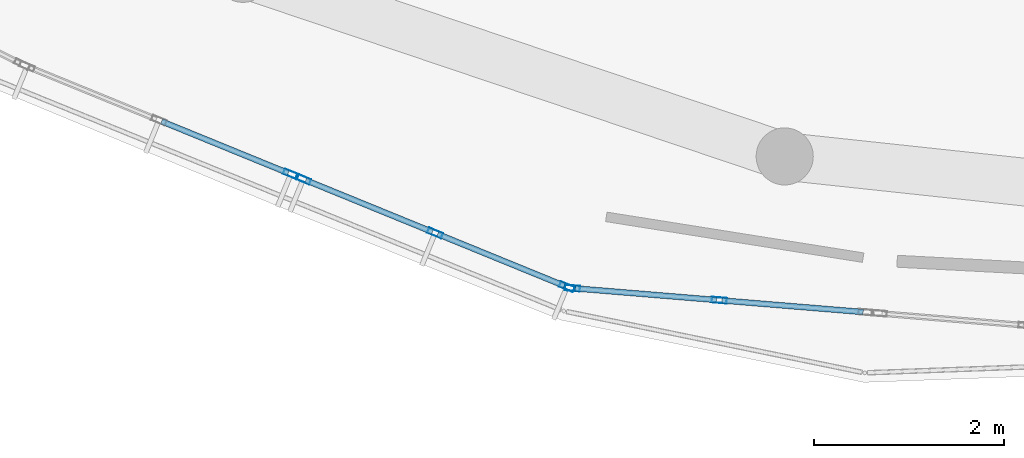
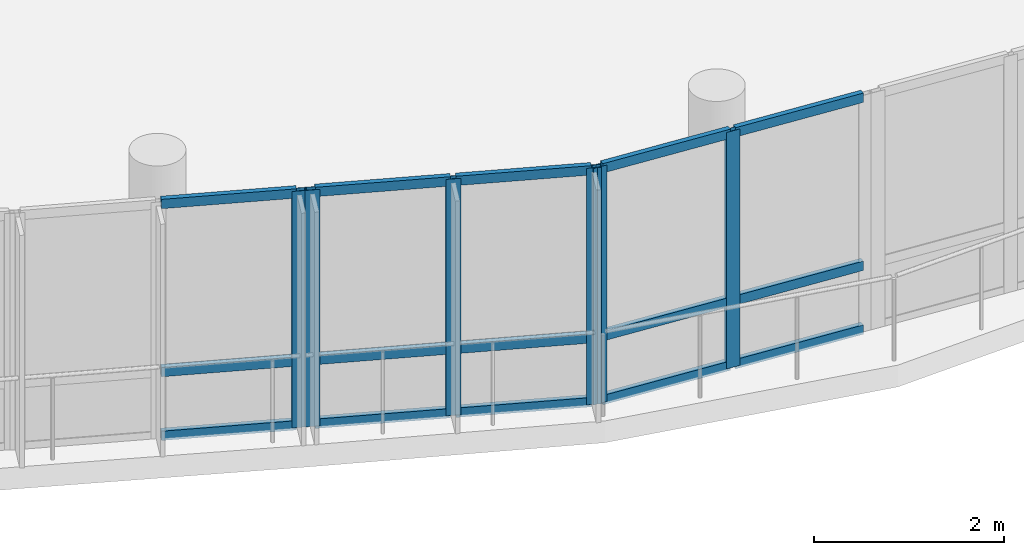
# One storey, part 3 of 43: 21 members, 3 elements without a shape of their own.
"""IFC4 building model written with IfcOpenShell, lengths in metres."""

from ifc_helpers import new_model, si_unit, derived_unit, direction, frame, origin, origin_2d, place, context, subcontext, project, spatial, hollow_rectangle, extrude, material, layer, layer_set, material_profile, profile_set, type_object, element, aggregate, save


model = new_model("IFC4")

# Units and contexts
model_context = context("Model", 3, precision=1e-05, world=origin(), true_north=direction((0.0, 1.0)))
body_context = subcontext(model_context, "Body", "Model", "MODEL_VIEW")
ifc_project = project(units=[si_unit("LENGTHUNIT", "METRE"), si_unit("AREAUNIT", "SQUARE_METRE"), si_unit("VOLUMEUNIT", "CUBIC_METRE"), si_unit("PLANEANGLEUNIT", "RADIAN"), si_unit("MASSUNIT", "GRAM", prefix="KILO"), derived_unit("THERMALTRANSMITTANCEUNIT", [(si_unit("POWERUNIT", "WATT"), 1), (si_unit("LENGTHUNIT", "METRE"), -2), (si_unit("THERMODYNAMICTEMPERATUREUNIT", "KELVIN"), -1)])], contexts=[model_context])

# Site, building, storey
site_placement = place(None, origin())
site = spatial("IfcSite", under=ifc_project, at=site_placement, CompositionType="ELEMENT")
building_placement = place(site_placement, origin())
building = spatial("IfcBuilding", under=site, at=building_placement, Name="Elbkamm Science Centre", CompositionType="ELEMENT")
storey_placement = place(building_placement, frame((0.0, 0.0, 18.300048828125)))
storey = spatial("IfcBuildingStorey", under=building, at=storey_placement, Name="L04", CompositionType="ELEMENT", Elevation=18.300048828125)

# Curtain wall, member
ifc_material_1 = material(Name="Powder-coated aluminium and triple low-E glazing", Category="aluminium")
ifc_layer_1 = layer(ifc_material_1, 0.159912109375)
ifc_layer_set_1 = layer_set([ifc_layer_1], Name="Powder-coated aluminium and triple low-E glazing")
curtain_wall_type_1 = type_object("IfcCurtainWallType", Name="CW-UNIT-3060x3040", PredefinedType="USERDEFINED", material=ifc_layer_set_1)
curtain_wall_1_placement = place(storey_placement, origin())
curtain_wall_1 = element("IfcCurtainWall", 1, at=curtain_wall_1_placement, inside=storey, type_object=curtain_wall_type_1, Name="L04 Unitised Curtain Wall 094", ObjectType="UNITISED CURTAIN WALL", PredefinedType="USERDEFINED")
ifc_material_2 = material(Name="Powder-coated aluminium EN AW-6060", Category="aluminium")
ifc_material_profile_1 = material_profile(ifc_material_2, hollow_rectangle(XDim=0.06005859375, YDim=0.159912109375, WallThickness=0.00390625, at=origin_2d()), Name="ALU M60x160")
ifc_profile_set_1 = profile_set([ifc_material_profile_1], Name="Powder-coated aluminium EN AW-6060")
member_type_1 = type_object("IfcMemberType", Name="CW-MUL-60x160", PredefinedType="MULLION", material=ifc_profile_set_1)
member_1_placement = place(storey_placement, frame((51.704833984375, 48.46826171875, 0.0), z_axis=(0.0, 0.0, 1.0), x_axis=(0.378001302905, 0.925805063176, 0.0)))
member_1 = element("IfcMember", 2, at=member_1_placement, type_object=member_type_1, Name="CW-046 mullion 3", PredefinedType="MULLION", context=body_context, shape_type="SweptSolid", body=[
    extrude(hollow_rectangle(XDim=0.06005859375, YDim=0.159912109375, WallThickness=0.00390625, at=origin_2d()), origin(), (0.0, 0.0, 1.0), 3.0400390625),
])

# Curtain wall, members
curtain_wall_2_placement = place(storey_placement, origin())
curtain_wall_2 = element("IfcCurtainWall", 3, at=curtain_wall_2_placement, inside=storey, type_object=curtain_wall_type_1, Name="L04 Unitised Curtain Wall 095", ObjectType="UNITISED CURTAIN WALL", PredefinedType="USERDEFINED")
member_2_placement = place(storey_placement, frame((51.83447265625, 48.4150390625, 0.0), z_axis=(0.0, 0.0, 1.0), x_axis=(0.378001302905, 0.925805063176, 0.0)))
member_2 = element("IfcMember", 4, at=member_2_placement, type_object=member_type_1, Name="CW-046 mullion 1", PredefinedType="MULLION", context=body_context, shape_type="SweptSolid", body=[
    extrude(hollow_rectangle(XDim=0.06005859375, YDim=0.159912109375, WallThickness=0.00390625, at=origin_2d()), origin(), (0.0, 0.0, 1.0), 3.0400390625),
])
member_3_placement = place(storey_placement, frame((53.219482421875, 47.849609375, 0.0), z_axis=(0.0, 0.0, 1.0), x_axis=(0.378001302905, 0.925805063176, 0.0)))
member_3 = element("IfcMember", 5, at=member_3_placement, type_object=member_type_1, Name="CW-046 mullion 2", PredefinedType="MULLION", context=body_context, shape_type="SweptSolid", body=[
    extrude(hollow_rectangle(XDim=0.06005859375, YDim=0.159912109375, WallThickness=0.00390625, at=origin_2d()), origin(), (0.0, 0.0, 1.0), 3.0400390625),
])
member_4_placement = place(storey_placement, frame((54.604736328125, 47.283935546875, 0.0), z_axis=(0.0, 0.0, 1.0), x_axis=(0.378001302905, 0.925805063176, 0.0)))
member_4 = element("IfcMember", 6, at=member_4_placement, type_object=member_type_1, Name="CW-046 mullion 3", PredefinedType="MULLION", context=body_context, shape_type="SweptSolid", body=[
    extrude(hollow_rectangle(XDim=0.06005859375, YDim=0.159912109375, WallThickness=0.00390625, at=origin_2d()), origin(), (0.0, 0.0, 1.0), 3.0400390625),
])

ifc_layer_2 = layer(ifc_material_1, 0.159912109375)
ifc_layer_set_2 = layer_set([ifc_layer_2], Name="Powder-coated aluminium and triple low-E glazing")
curtain_wall_type_2 = type_object("IfcCurtainWallType", Name="CW-UNIT-3160x3040", PredefinedType="USERDEFINED", material=ifc_layer_set_2)
curtain_wall_3_placement = place(storey_placement, origin())
curtain_wall_3 = element("IfcCurtainWall", 7, at=curtain_wall_3_placement, inside=storey, type_object=curtain_wall_type_2, Name="L04 Unitised Curtain Wall 096", ObjectType="UNITISED CURTAIN WALL", PredefinedType="USERDEFINED")
member_5_placement = place(storey_placement, frame((54.662353515625, 47.270263671875, 0.0), z_axis=(0.0, 0.0, 1.0), x_axis=(0.081820228887, 0.996647104117, 0.0)))
member_5 = element("IfcMember", 8, at=member_5_placement, type_object=member_type_1, Name="CW-047 mullion 1", PredefinedType="MULLION", context=body_context, shape_type="SweptSolid", body=[
    extrude(hollow_rectangle(XDim=0.06005859375, YDim=0.159912109375, WallThickness=0.00390625, at=origin_2d()), origin(), (0.0, 0.0, 1.0), 3.0400390625),
])
member_6_placement = place(storey_placement, frame((56.204345703125, 47.1435546875, 0.0), z_axis=(0.0, 0.0, 1.0), x_axis=(0.081820228887, 0.996647104117, 0.0)))
member_6 = element("IfcMember", 9, at=member_6_placement, type_object=member_type_1, Name="CW-047 mullion 2", PredefinedType="MULLION", context=body_context, shape_type="SweptSolid", body=[
    extrude(hollow_rectangle(XDim=0.06005859375, YDim=0.159912109375, WallThickness=0.00390625, at=origin_2d()), origin(), (0.0, 0.0, 1.0), 3.0400390625),
])

# Member
ifc_material_profile_2 = material_profile(ifc_material_2, hollow_rectangle(XDim=0.06005859375, YDim=0.1201171875, WallThickness=0.00341796875, at=origin_2d()), Name="ALU T60x120")
ifc_profile_set_2 = profile_set([ifc_material_profile_2], Name="Powder-coated aluminium EN AW-6060")
member_type_2 = type_object("IfcMemberType", Name="CW-TRN-60x120", PredefinedType="USERDEFINED", material=ifc_profile_set_2)
member_7_placement = place(storey_placement, frame((50.347412109375, 49.0224609375, 0.030029296875), z_axis=(0.925779655957, -0.378063524577, 0.0), x_axis=(0.378063524577, 0.925779655957, 0.0)))
member_7 = element("IfcMember", 10, at=member_7_placement, type_object=member_type_2, Name="CW-046 transom 2.1", ObjectType="TRANSOM", PredefinedType="USERDEFINED", context=body_context, shape_type="SweptSolid", body=[
    extrude(hollow_rectangle(XDim=0.06005859375, YDim=0.1201171875, WallThickness=0.00341796875, at=origin_2d()), origin(), (0.0, 0.0, 1.0), 1.436279296875),
])

member_8_placement = place(storey_placement, frame((50.347412109375, 49.0224609375, 0.849853515625), z_axis=(0.925779655957, -0.378063524577, 0.0), x_axis=(0.378063524577, 0.925779655957, 0.0)))
member_8 = element("IfcMember", 11, at=member_8_placement, type_object=member_type_2, Name="CW-046 transom 2.2", ObjectType="TRANSOM", PredefinedType="USERDEFINED", context=body_context, shape_type="SweptSolid", body=[
    extrude(hollow_rectangle(XDim=0.06005859375, YDim=0.1201171875, WallThickness=0.00341796875, at=origin_2d()), origin(), (0.0, 0.0, 1.0), 1.436279296875),
])

member_9_placement = place(storey_placement, frame((50.347412109375, 49.0224609375, 3.010009765625), z_axis=(0.925779655957, -0.378063524577, 0.0), x_axis=(0.378063524577, 0.925779655957, 0.0)))
member_9 = element("IfcMember", 12, at=member_9_placement, type_object=member_type_2, Name="CW-046 transom 2.3", ObjectType="TRANSOM", PredefinedType="USERDEFINED", context=body_context, shape_type="SweptSolid", body=[
    extrude(hollow_rectangle(XDim=0.06005859375, YDim=0.1201171875, WallThickness=0.00341796875, at=origin_2d()), origin(), (0.0, 0.0, 1.0), 1.436279296875),
])

aggregate(curtain_wall_1, [member_1, member_7, member_8, member_9])

member_10_placement = place(storey_placement, frame((51.862060546875, 48.40380859375, 0.030029296875), z_axis=(0.925803947609, -0.378004035154, 0.0), x_axis=(0.378004035154, 0.925803947609, 0.0)))
member_10 = element("IfcMember", 13, at=member_10_placement, type_object=member_type_2, Name="CW-046 transom 1.1", ObjectType="TRANSOM", PredefinedType="USERDEFINED", context=body_context, shape_type="SweptSolid", body=[
    extrude(hollow_rectangle(XDim=0.06005859375, YDim=0.1201171875, WallThickness=0.00341796875, at=origin_2d()), origin(), (0.0, 0.0, 1.0), 1.4365234375),
])

member_11_placement = place(storey_placement, frame((51.862060546875, 48.40380859375, 0.849853515625), z_axis=(0.925803947609, -0.378004035154, 0.0), x_axis=(0.378004035154, 0.925803947609, 0.0)))
member_11 = element("IfcMember", 14, at=member_11_placement, type_object=member_type_2, Name="CW-046 transom 1.2", ObjectType="TRANSOM", PredefinedType="USERDEFINED", context=body_context, shape_type="SweptSolid", body=[
    extrude(hollow_rectangle(XDim=0.06005859375, YDim=0.1201171875, WallThickness=0.00341796875, at=origin_2d()), origin(), (0.0, 0.0, 1.0), 1.4365234375),
])

member_12_placement = place(storey_placement, frame((51.862060546875, 48.40380859375, 3.010009765625), z_axis=(0.925803947609, -0.378004035154, 0.0), x_axis=(0.378004035154, 0.925803947609, 0.0)))
member_12 = element("IfcMember", 15, at=member_12_placement, type_object=member_type_2, Name="CW-046 transom 1.3", ObjectType="TRANSOM", PredefinedType="USERDEFINED", context=body_context, shape_type="SweptSolid", body=[
    extrude(hollow_rectangle(XDim=0.06005859375, YDim=0.1201171875, WallThickness=0.00341796875, at=origin_2d()), origin(), (0.0, 0.0, 1.0), 1.4365234375),
])

member_13_placement = place(storey_placement, frame((53.247314453125, 47.83837890625, 0.030029296875), z_axis=(0.925779655957, -0.378063524577, 0.0), x_axis=(0.378063524577, 0.925779655957, 0.0)))
member_13 = element("IfcMember", 16, at=member_13_placement, type_object=member_type_2, Name="CW-046 transom 2.1", ObjectType="TRANSOM", PredefinedType="USERDEFINED", context=body_context, shape_type="SweptSolid", body=[
    extrude(hollow_rectangle(XDim=0.06005859375, YDim=0.1201171875, WallThickness=0.00341796875, at=origin_2d()), origin(), (0.0, 0.0, 1.0), 1.436279296875),
])

member_14_placement = place(storey_placement, frame((53.247314453125, 47.83837890625, 0.849853515625), z_axis=(0.925779655957, -0.378063524577, 0.0), x_axis=(0.378063524577, 0.925779655957, 0.0)))
member_14 = element("IfcMember", 17, at=member_14_placement, type_object=member_type_2, Name="CW-046 transom 2.2", ObjectType="TRANSOM", PredefinedType="USERDEFINED", context=body_context, shape_type="SweptSolid", body=[
    extrude(hollow_rectangle(XDim=0.06005859375, YDim=0.1201171875, WallThickness=0.00341796875, at=origin_2d()), origin(), (0.0, 0.0, 1.0), 1.436279296875),
])

member_15_placement = place(storey_placement, frame((53.247314453125, 47.83837890625, 3.010009765625), z_axis=(0.925779655957, -0.378063524577, 0.0), x_axis=(0.378063524577, 0.925779655957, 0.0)))
member_15 = element("IfcMember", 18, at=member_15_placement, type_object=member_type_2, Name="CW-046 transom 2.3", ObjectType="TRANSOM", PredefinedType="USERDEFINED", context=body_context, shape_type="SweptSolid", body=[
    extrude(hollow_rectangle(XDim=0.06005859375, YDim=0.1201171875, WallThickness=0.00341796875, at=origin_2d()), origin(), (0.0, 0.0, 1.0), 1.436279296875),
])

aggregate(curtain_wall_2, [member_2, member_3, member_4, member_10, member_11, member_12, member_13, member_14, member_15])

member_16_placement = place(storey_placement, frame((54.6923828125, 47.267822265625, 0.030029296875), z_axis=(0.996639089945, -0.08191779046, 0.0), x_axis=(0.08191779046, 0.996639089945, 0.0)))
member_16 = element("IfcMember", 19, at=member_16_placement, type_object=member_type_2, Name="CW-047 transom 1.1", ObjectType="TRANSOM", PredefinedType="USERDEFINED", context=body_context, shape_type="SweptSolid", body=[
    extrude(hollow_rectangle(XDim=0.06005859375, YDim=0.1201171875, WallThickness=0.00341796875, at=origin_2d()), origin(), (0.0, 0.0, 1.0), 1.487060546875),
])

member_17_placement = place(storey_placement, frame((54.6923828125, 47.267822265625, 0.849853515625), z_axis=(0.996639089945, -0.08191779046, 0.0), x_axis=(0.08191779046, 0.996639089945, 0.0)))
member_17 = element("IfcMember", 20, at=member_17_placement, type_object=member_type_2, Name="CW-047 transom 1.2", ObjectType="TRANSOM", PredefinedType="USERDEFINED", context=body_context, shape_type="SweptSolid", body=[
    extrude(hollow_rectangle(XDim=0.06005859375, YDim=0.1201171875, WallThickness=0.00341796875, at=origin_2d()), origin(), (0.0, 0.0, 1.0), 1.487060546875),
])

member_18_placement = place(storey_placement, frame((54.6923828125, 47.267822265625, 3.010009765625), z_axis=(0.996639089945, -0.08191779046, 0.0), x_axis=(0.08191779046, 0.996639089945, 0.0)))
member_18 = element("IfcMember", 21, at=member_18_placement, type_object=member_type_2, Name="CW-047 transom 1.3", ObjectType="TRANSOM", PredefinedType="USERDEFINED", context=body_context, shape_type="SweptSolid", body=[
    extrude(hollow_rectangle(XDim=0.06005859375, YDim=0.1201171875, WallThickness=0.00341796875, at=origin_2d()), origin(), (0.0, 0.0, 1.0), 1.487060546875),
])

member_19_placement = place(storey_placement, frame((56.234375, 47.14111328125, 0.030029296875), z_axis=(0.996652479532, -0.08175472489, 0.0), x_axis=(0.08175472489, 0.996652479532, 0.0)))
member_19 = element("IfcMember", 22, at=member_19_placement, type_object=member_type_2, Name="CW-047 transom 2.1", ObjectType="TRANSOM", PredefinedType="USERDEFINED", context=body_context, shape_type="SweptSolid", body=[
    extrude(hollow_rectangle(XDim=0.06005859375, YDim=0.1201171875, WallThickness=0.00341796875, at=origin_2d()), origin(), (0.0, 0.0, 1.0), 1.487060546875),
])

member_20_placement = place(storey_placement, frame((56.234375, 47.14111328125, 0.849853515625), z_axis=(0.996652479532, -0.08175472489, 0.0), x_axis=(0.08175472489, 0.996652479532, 0.0)))
member_20 = element("IfcMember", 23, at=member_20_placement, type_object=member_type_2, Name="CW-047 transom 2.2", ObjectType="TRANSOM", PredefinedType="USERDEFINED", context=body_context, shape_type="SweptSolid", body=[
    extrude(hollow_rectangle(XDim=0.06005859375, YDim=0.1201171875, WallThickness=0.00341796875, at=origin_2d()), origin(), (0.0, 0.0, 1.0), 1.487060546875),
])

member_21_placement = place(storey_placement, frame((56.234375, 47.14111328125, 3.010009765625), z_axis=(0.996652479532, -0.08175472489, 0.0), x_axis=(0.08175472489, 0.996652479532, 0.0)))
member_21 = element("IfcMember", 24, at=member_21_placement, type_object=member_type_2, Name="CW-047 transom 2.3", ObjectType="TRANSOM", PredefinedType="USERDEFINED", context=body_context, shape_type="SweptSolid", body=[
    extrude(hollow_rectangle(XDim=0.06005859375, YDim=0.1201171875, WallThickness=0.00341796875, at=origin_2d()), origin(), (0.0, 0.0, 1.0), 1.487060546875),
])

aggregate(curtain_wall_3, [member_5, member_6, member_16, member_17, member_18, member_19, member_20, member_21])

save(model, "model.ifc")
